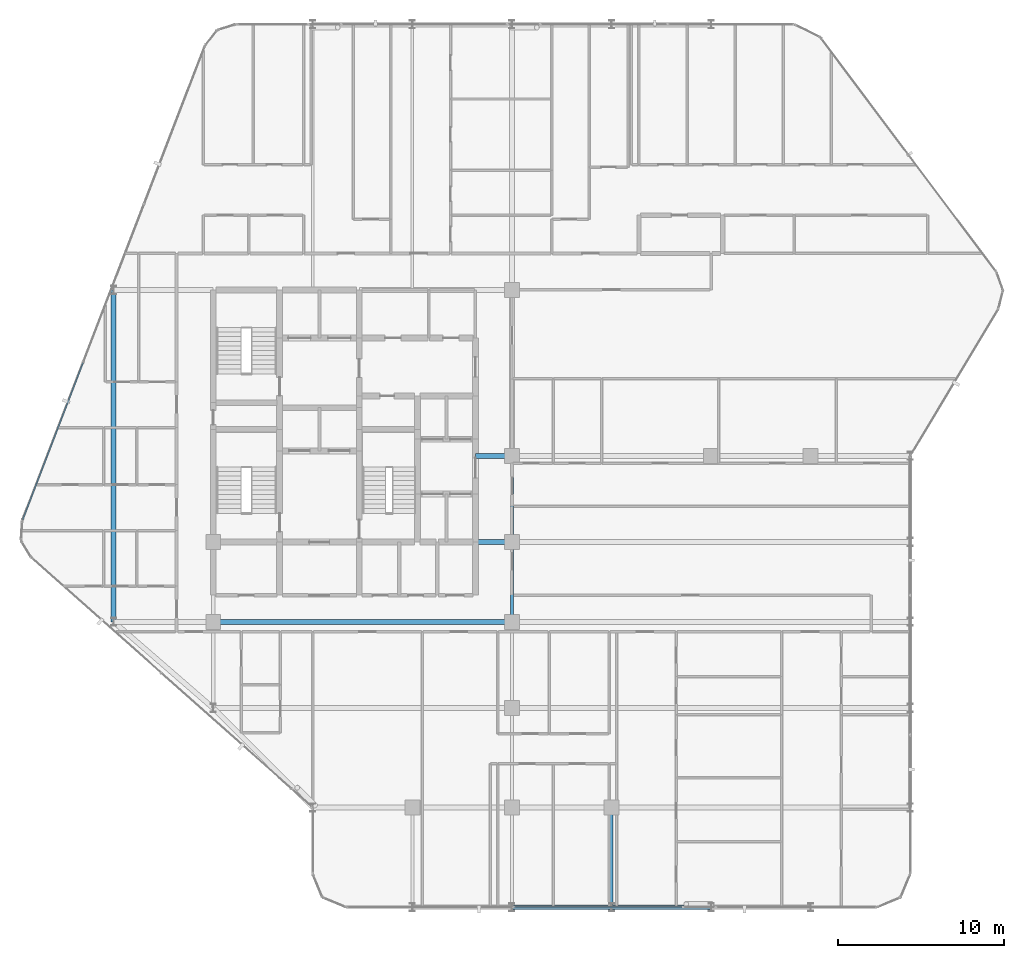
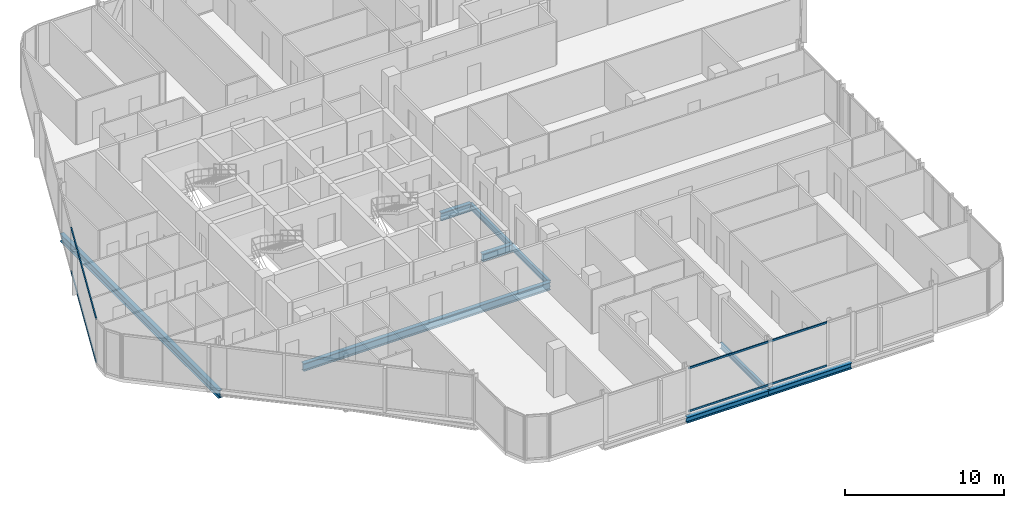
# One storey, part 8 of 31: 9 beams, 4 members, 2 elements without a shape of their own.
"""IFC4 building model written with IfcOpenShell, lengths in metres."""

from ifc_helpers import new_model, si_unit, direction, frame, origin, origin_2d, place, context, subcontext, project, spatial, hollow_rectangle, i_section, extrude, material, layer, layer_set, material_profile, profile_set, type_object, element, aggregate, save


model = new_model("IFC4")

# Units and contexts
model_context = context("Model", 3, precision=1e-05, world=origin(), true_north=direction((0.0, 1.0)))
body_context = subcontext(model_context, "Body", "Model", "MODEL_VIEW")
ifc_project = project(units=[si_unit("LENGTHUNIT", "METRE"), si_unit("AREAUNIT", "SQUARE_METRE"), si_unit("VOLUMEUNIT", "CUBIC_METRE"), si_unit("PLANEANGLEUNIT", "RADIAN"), si_unit("MASSUNIT", "GRAM", prefix="KILO")], contexts=[model_context])

# Site, building, storey
site_placement = place(None, origin())
site = spatial("IfcSite", under=ifc_project, at=site_placement, CompositionType="ELEMENT")
building_placement = place(site_placement, origin())
building = spatial("IfcBuilding", under=site, at=building_placement, Name="Keshet Zoharim Tower", CompositionType="ELEMENT")
storey_placement = place(building_placement, frame((0.0, 0.0, 133.5)))
storey = spatial("IfcBuildingStorey", under=building, at=storey_placement, Name="L32", CompositionType="ELEMENT", Elevation=133.5)

# Beams
ifc_material_1 = material(Name="Steel S355", Category="steel")
ifc_material_profile_1 = material_profile(ifc_material_1, i_section(OverallWidth=0.300048828125, OverallDepth=0.60009765625, WebThickness=0.015380859375, FlangeThickness=0.030029296875, FilletRadius=0.027099609375, at=origin_2d()), Name="HEB600")
ifc_profile_set_1 = profile_set([ifc_material_profile_1], Name="Steel S355")
beam_type_1 = type_object("IfcBeamType", Name="BM-CLK-HB600", PredefinedType="BEAM", material=ifc_profile_set_1)
for number, where, z_axis, x_axis, name in (
    (1, (30.800048828125, 22.699951171875, -0.614990234375), (1.0, 0.0, 0.0), (0.0, 1.0, 0.0), "L32 Core Wall Link Girder 01"),
    (2, (30.800048828125, 27.89990234375, -0.614990234375), (1.0, 0.0, 0.0), (0.0, 1.0, 0.0), "L32 Core Wall Link Girder 02"),
):
    element("IfcBeam", number, at=place(storey_placement, frame(where, z_axis=z_axis, x_axis=x_axis)), inside=storey, type_object=beam_type_1, Name=name, PredefinedType="BEAM", context=body_context, shape_type="SweptSolid", body=[
        extrude(i_section(OverallWidth=0.300048828125, OverallDepth=0.60009765625, WebThickness=0.015380859375, FlangeThickness=0.030029296875, FilletRadius=0.027099609375, at=origin_2d()), origin(), (0.0, 0.0, 1.0), 2.199951171875),
    ])
ifc_material_profile_2 = material_profile(ifc_material_1, i_section(OverallWidth=0.300048828125, OverallDepth=0.60009765625, WebThickness=0.015380859375, FlangeThickness=0.030029296875, FilletRadius=0.027099609375, at=origin_2d()), Name="HEB600")
ifc_profile_set_2 = profile_set([ifc_material_profile_2], Name="Steel S355")
beam_type_2 = type_object("IfcBeamType", Name="BM-LNG-HB600", PredefinedType="BEAM", material=ifc_profile_set_2)
beam_1_placement = place(storey_placement, frame((15.0, 17.89990234375, -0.614990234375), z_axis=(1.0, 0.0, 0.0), x_axis=(0.0, 1.0, 0.0)))
element("IfcBeam", 3, at=beam_1_placement, inside=storey, type_object=beam_type_2, Name="L32 Primary Girder X-012", PredefinedType="BEAM", context=body_context, shape_type="SweptSolid", body=[
    extrude(i_section(OverallWidth=0.300048828125, OverallDepth=0.60009765625, WebThickness=0.015380859375, FlangeThickness=0.030029296875, FilletRadius=0.027099609375, at=origin_2d()), origin(), (0.0, 0.0, 1.0), 18.0),
])
beam_2_placement = place(storey_placement, frame((9.0, 17.89990234375, -0.614990234375), z_axis=(0.0, 1.0, 0.0), x_axis=(-1.0, 0.0, 0.0)))
element("IfcBeam", 4, at=beam_2_placement, inside=storey, type_object=beam_type_2, Name="L32 Primary Girder Y-001", PredefinedType="BEAM", context=body_context, shape_type="SweptSolid", body=[
    extrude(i_section(OverallWidth=0.300048828125, OverallDepth=0.60009765625, WebThickness=0.015380859375, FlangeThickness=0.030029296875, FilletRadius=0.027099609375, at=origin_2d()), origin(), (0.0, 0.0, 1.0), 20.0),
])
ifc_material_profile_3 = material_profile(ifc_material_1, i_section(OverallWidth=0.18994140625, OverallDepth=0.449951171875, WebThickness=0.009521484375, FlangeThickness=0.0146484375, FilletRadius=0.02099609375, at=origin_2d()), Name="IPE450")
ifc_profile_set_3 = profile_set([ifc_material_profile_3], Name="Steel S355")
beam_type_3 = type_object("IfcBeamType", Name="BM-PRI-IP450", PredefinedType="BEAM", material=ifc_profile_set_3)
beam_3_placement = place(storey_placement, frame((33.0, 17.89990234375, -0.5400390625), z_axis=(0.0, 1.0, 0.0), x_axis=(-1.0, 0.0, 0.0)))
element("IfcBeam", 5, at=beam_3_placement, inside=storey, type_object=beam_type_3, Name="L32 Primary Girder Y-008", PredefinedType="BEAM", context=body_context, shape_type="SweptSolid", body=[
    extrude(i_section(OverallWidth=0.18994140625, OverallDepth=0.449951171875, WebThickness=0.009521484375, FlangeThickness=0.0146484375, FilletRadius=0.02099609375, at=origin_2d()), origin(), (0.0, 0.0, 1.0), 4.800048828125),
])
beam_4_placement = place(storey_placement, frame((33.0, 22.699951171875, -0.5400390625), z_axis=(0.0, 1.0, 0.0), x_axis=(-1.0, 0.0, 0.0)))
element("IfcBeam", 6, at=beam_4_placement, inside=storey, type_object=beam_type_3, Name="L32 Primary Girder Y-009", PredefinedType="BEAM", context=body_context, shape_type="SweptSolid", body=[
    extrude(i_section(OverallWidth=0.18994140625, OverallDepth=0.449951171875, WebThickness=0.009521484375, FlangeThickness=0.0146484375, FilletRadius=0.02099609375, at=origin_2d()), origin(), (0.0, 0.0, 1.0), 5.199951171875),
])
beam_5_placement = place(storey_placement, frame((39.0, 0.699951171875, -0.5400390625), z_axis=(0.0, 1.0, 0.0), x_axis=(-1.0, 0.0, 0.0)))
element("IfcBeam", 7, at=beam_5_placement, inside=storey, type_object=beam_type_3, Name="L32 Primary Girder Y-012", PredefinedType="BEAM", context=body_context, shape_type="SweptSolid", body=[
    extrude(i_section(OverallWidth=0.18994140625, OverallDepth=0.449951171875, WebThickness=0.009521484375, FlangeThickness=0.0146484375, FilletRadius=0.02099609375, at=origin_2d()), origin(), (0.0, 0.0, 1.0), 6.0),
])
ifc_material_profile_4 = material_profile(ifc_material_1, i_section(OverallWidth=0.300048828125, OverallDepth=0.449951171875, WebThickness=0.013916015625, FlangeThickness=0.02587890625, FilletRadius=0.027099609375, at=origin_2d()), Name="HEB450")
ifc_profile_set_4 = profile_set([ifc_material_profile_4], Name="Steel S355")
beam_type_4 = type_object("IfcBeamType", Name="BM-WEB-HB450", PredefinedType="BEAM", material=ifc_profile_set_4)
for number, where, z_axis, x_axis, name in (
    (8, (33.0, 0.699951171875, -0.5400390625), (1.0, 0.0, 0.0), (0.0, 1.0, 0.0), "L32 Primary Girder X-002"),
    (9, (39.0, 0.699951171875, -0.5400390625), (1.0, 0.0, 0.0), (0.0, 1.0, 0.0), "L32 Primary Girder X-003"),
):
    element("IfcBeam", number, at=place(storey_placement, frame(where, z_axis=z_axis, x_axis=x_axis)), inside=storey, type_object=beam_type_4, Name=name, PredefinedType="BEAM", context=body_context, shape_type="SweptSolid", body=[
        extrude(i_section(OverallWidth=0.300048828125, OverallDepth=0.449951171875, WebThickness=0.013916015625, FlangeThickness=0.02587890625, FilletRadius=0.027099609375, at=origin_2d()), origin(), (0.0, 0.0, 1.0), 6.0),
    ])

# Curtain wall, members
ifc_material_2 = material(Name="Aluminium 6063-T6", Category="aluminium")
ifc_layer = layer(ifc_material_2, 0.159912109375)
ifc_layer_set = layer_set([ifc_layer], Name="Aluminium 6063-T6")
curtain_wall_type = type_object("IfcCurtainWallType", Name="CW-SYS-03", PredefinedType="NOTDEFINED", material=ifc_layer_set)
curtain_wall_1_placement = place(storey_placement, origin())
curtain_wall_1 = element("IfcCurtainWall", 10, at=curtain_wall_1_placement, inside=storey, type_object=curtain_wall_type, Name="L32 Unitised Curtain Wall 03 Part 3", PredefinedType="NOTDEFINED")
ifc_material_profile_5 = material_profile(ifc_material_2, hollow_rectangle(XDim=0.080078125, YDim=0.139892578125, WallThickness=0.00390625, at=origin_2d()), Name="TRN-80x140")
ifc_profile_set_5 = profile_set([ifc_material_profile_5], Name="Aluminium 6063-T6")
member_type = type_object("IfcMemberType", Name="CWT-T14", PredefinedType="USERDEFINED", material=ifc_profile_set_5)
member_1_placement = place(storey_placement, frame((43.251953125, 0.699951171875, 0.034912109375), z_axis=(-1.0, 0.0, 0.0), x_axis=(0.0, -1.0, 0.0)))
member_1 = element("IfcMember", 11, at=member_1_placement, type_object=member_type, Name="CW-03 transom 1.1", ObjectType="TRANSOM", PredefinedType="USERDEFINED", context=body_context, shape_type="SweptSolid", body=[
    extrude(hollow_rectangle(XDim=0.080078125, YDim=0.139892578125, WallThickness=0.00390625, at=origin_2d()), origin(), (0.0, 0.0, 1.0), 10.091064453125),
])
member_2_placement = place(storey_placement, frame((43.251953125, 0.699951171875, 3.35009765625), z_axis=(-1.0, 0.0, 0.0), x_axis=(0.0, -1.0, 0.0)))
member_2 = element("IfcMember", 12, at=member_2_placement, type_object=member_type, Name="CW-03 transom 1.2", ObjectType="TRANSOM", PredefinedType="USERDEFINED", context=body_context, shape_type="SweptSolid", body=[
    extrude(hollow_rectangle(XDim=0.080078125, YDim=0.139892578125, WallThickness=0.00390625, at=origin_2d()), origin(), (0.0, 0.0, 1.0), 10.091064453125),
])
aggregate(curtain_wall_1, [member_1, member_2])

curtain_wall_2_placement = place(storey_placement, origin())
curtain_wall_2 = element("IfcCurtainWall", 13, at=curtain_wall_2_placement, inside=storey, type_object=curtain_wall_type, Name="L32 Unitised Curtain Wall 10", PredefinedType="NOTDEFINED")
member_3_placement = place(storey_placement, frame((3.522216796875, 24.058349609375, 0.034912109375), z_axis=(0.358993631387, 0.93334000912, 0.0), x_axis=(-0.93334000912, 0.358993631387, 0.0)))
member_3 = element("IfcMember", 14, at=member_3_placement, type_object=member_type, Name="CW-03 transom 1.1", ObjectType="TRANSOM", PredefinedType="USERDEFINED", context=body_context, shape_type="SweptSolid", body=[
    extrude(hollow_rectangle(XDim=0.080078125, YDim=0.139892578125, WallThickness=0.00390625, at=origin_2d()), origin(), (0.0, 0.0, 1.0), 10.1181640625),
])
member_4_placement = place(storey_placement, frame((3.522216796875, 24.058349609375, 3.35009765625), z_axis=(0.358993631387, 0.93334000912, 0.0), x_axis=(-0.93334000912, 0.358993631387, 0.0)))
member_4 = element("IfcMember", 15, at=member_4_placement, type_object=member_type, Name="CW-03 transom 1.2", ObjectType="TRANSOM", PredefinedType="USERDEFINED", context=body_context, shape_type="SweptSolid", body=[
    extrude(hollow_rectangle(XDim=0.080078125, YDim=0.139892578125, WallThickness=0.00390625, at=origin_2d()), origin(), (0.0, 0.0, 1.0), 10.1181640625),
])
aggregate(curtain_wall_2, [member_3, member_4])

save(model, "model.ifc")
